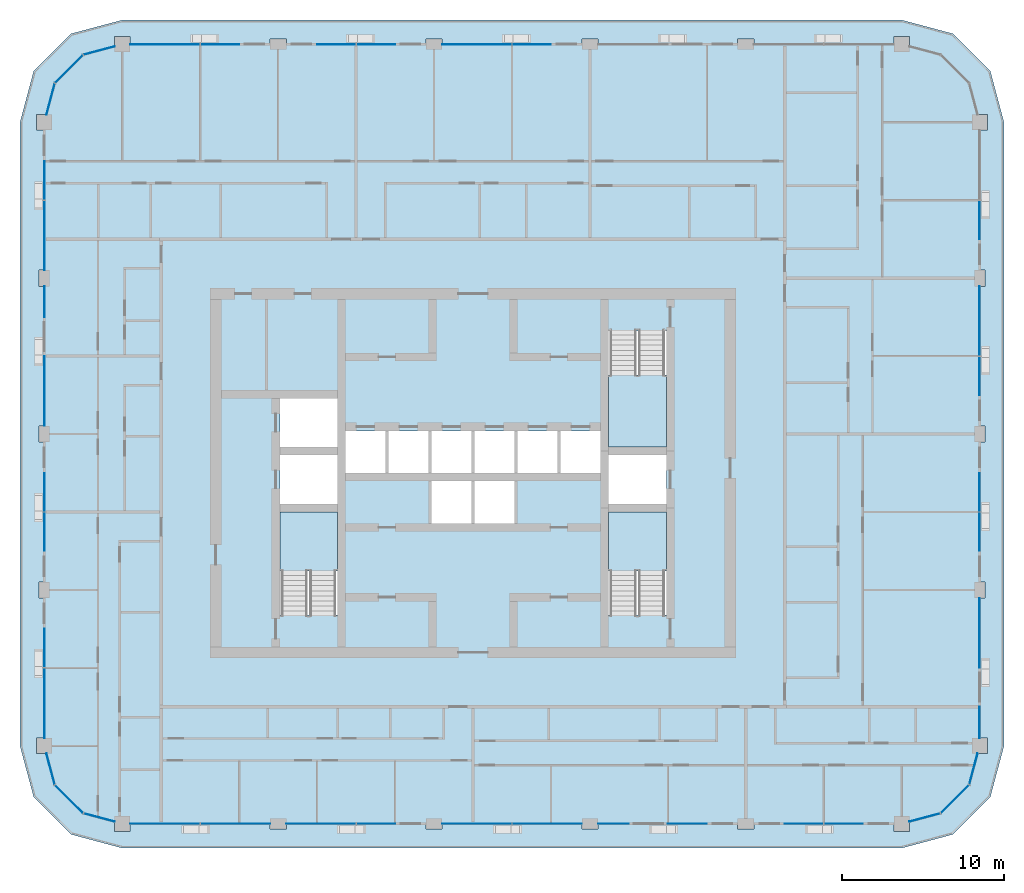
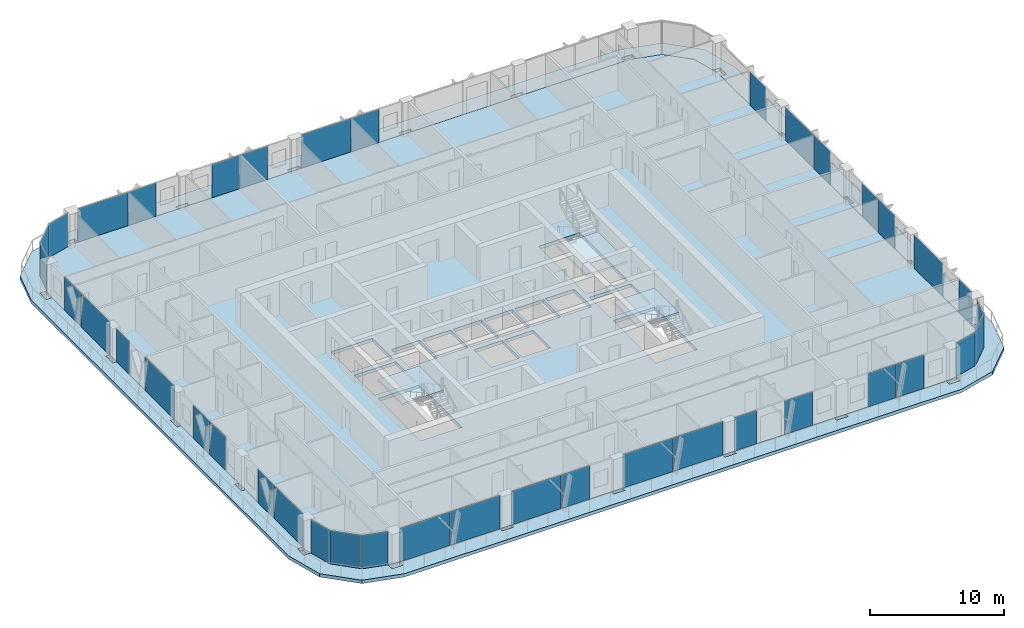
# One storey, part 7 of 22: 40 plates, 5 slabs, 22 elements without a shape of their own.
"""IFC4 building model written with IfcOpenShell, lengths in metres."""

import ifcopenshell
import ifcopenshell.guid

model = None  # the IFC model being written
_history = None  # IfcOwnerHistory: only IFC2X3 demands one
_inside = {}  # id of a spatial element -> (the spatial element, [elements in it])
_under = {}  # id of a project, library or spatial element -> (it, [spatial elements below it])
_declared = {}  # id of a project -> (the project, [libraries it declares])
_typed = {}  # id of a type object -> (the type object, [elements of that type])
_made_of = {}  # id of a material, layer set ... -> (it, [elements and type objects made of it])


def new_model(schema):
    """Start an empty IFC model of exactly this schema.

    Asked for "IFC4X3", IfcOpenShell would pick the latest addendum, in which some entities
    have other attributes; the version numbers below select the first issue.
    IFC2X3 requires an IfcOwnerHistory on every rooted entity: one is made here for all.
    """
    global model, _history
    if schema == "IFC4X3":
        model = ifcopenshell.file(schema_version=(4, 3, 0, 0))
    else:
        model = ifcopenshell.file(schema=schema)
    _inside.clear()
    _under.clear()
    _declared.clear()
    _typed.clear()
    _made_of.clear()
    _history = None
    if model.schema == "IFC2X3":
        org = make("IfcOrganization", Name="unknown")
        user = make(
            "IfcPersonAndOrganization",
            ThePerson=make("IfcPerson", FamilyName="unknown"),
            TheOrganization=org,
        )
        app = make(
            "IfcApplication",
            ApplicationDeveloper=org,
            Version="unknown",
            ApplicationFullName="unknown",
            ApplicationIdentifier="unknown",
        )
        _history = make(
            "IfcOwnerHistory",
            OwningUser=user,
            OwningApplication=app,
            ChangeAction="ADDED",
            CreationDate=0,
        )
    return model


def make(cls, **values):
    """One entity of the class cls with the attributes given. An attribute that is None is left unset."""
    return model.create_entity(
        cls, **{name: value for name, value in values.items() if value is not None}
    )


def rooted(cls, **values):
    """An entity with a GlobalId (a new one), such as an element, a storey or a relation."""
    return make(cls, GlobalId=ifcopenshell.guid.new(), OwnerHistory=_history, **values)


def si_unit(unit_type, name, prefix=None):
    """IfcSIUnit, for example si_unit("LENGTHUNIT", "METRE", prefix="MILLI")."""
    return make("IfcSIUnit", UnitType=unit_type, Prefix=prefix, Name=name)


def assignment(units):
    """IfcUnitAssignment: the units of a project."""
    return None if units is None else make("IfcUnitAssignment", Units=units)


def point(xyz):
    """IfcCartesianPoint."""
    return None if xyz is None else make("IfcCartesianPoint", Coordinates=xyz)


def direction(xyz):
    """IfcDirection."""
    return None if xyz is None else make("IfcDirection", DirectionRatios=xyz)


def frame(location, z_axis=None, x_axis=None):
    """IfcAxis2Placement3D, a coordinate frame: its origin and axes. An axis left out is left unset."""
    return make(
        "IfcAxis2Placement3D",
        Location=point(location),
        Axis=direction(z_axis),
        RefDirection=direction(x_axis),
    )


def frame_2d(location, x_axis=None):
    """IfcAxis2Placement2D, a coordinate frame in the plane: its origin and x axis."""
    return make(
        "IfcAxis2Placement2D", Location=point(location), RefDirection=direction(x_axis)
    )


def origin():
    """The frame at (0, 0, 0) with its axes left unset."""
    return frame((0.0, 0.0, 0.0))


def origin_2d():
    """The frame at (0, 0) in the plane with its x axis left unset."""
    return frame_2d((0.0, 0.0))


def place(relative_to, where):
    """IfcLocalPlacement: puts the frame where relative to a parent placement (None: the world)."""
    return make(
        "IfcLocalPlacement", PlacementRelTo=relative_to, RelativePlacement=where
    )


def context(
    kind, dimensions, precision=None, world=None, true_north=None, identifier=None
):
    """IfcGeometricRepresentationContext, for example the 3D "Model" context."""
    return make(
        "IfcGeometricRepresentationContext",
        ContextIdentifier=identifier,
        ContextType=kind,
        CoordinateSpaceDimension=dimensions,
        Precision=precision,
        WorldCoordinateSystem=world,
        TrueNorth=true_north,
    )


def subcontext(parent, identifier, kind, view, scale=None):
    """IfcGeometricRepresentationSubContext, for example "Body" below "Model"."""
    return make(
        "IfcGeometricRepresentationSubContext",
        ContextIdentifier=identifier,
        ContextType=kind,
        ParentContext=parent,
        TargetScale=scale,
        TargetView=view,
    )


def project(units=None, contexts=None):
    """IfcProject with its units and contexts."""
    return rooted(
        "IfcProject",
        Name="project",
        RepresentationContexts=contexts,
        UnitsInContext=assignment(units),
    )


def spatial(cls, under=None, at=None, **own):
    """A site, building, storey or space (cls), placed at a placement, below another one or the project."""
    s = rooted(cls, ObjectPlacement=at, **own)
    if under is not None:
        _under.setdefault(under.id(), (under, []))[1].append(s)
    return s


def polyline(points):
    """IfcPolyline through the points."""
    return make("IfcPolyline", Points=[point(p) for p in points])


def profile(cls, at=None, kind="AREA", **sizes):
    """A parametric profile (cls). Its sizes go by their IFC names, for example OverallWidth=200.0."""
    return make(cls, ProfileType=kind, Position=at, **sizes)


def rectangle(**sizes):
    """IfcRectangleProfileDef."""
    return profile("IfcRectangleProfileDef", **sizes)


def outline(outer, holes=None, kind="AREA"):
    """IfcArbitraryClosedProfileDef: a profile drawn as a closed curve; with holes, ...WithVoids."""
    if holes is None:
        return make("IfcArbitraryClosedProfileDef", ProfileType=kind, OuterCurve=outer)
    return make(
        "IfcArbitraryProfileDefWithVoids",
        ProfileType=kind,
        OuterCurve=outer,
        InnerCurves=holes,
    )


def extrude(swept, where, along, depth):
    """IfcExtrudedAreaSolid: the profile swept, set in the frame where, extruded along a direction by depth."""
    return make(
        "IfcExtrudedAreaSolid",
        SweptArea=swept,
        Position=where,
        ExtrudedDirection=direction(along),
        Depth=depth,
    )


def shape(context_of_items, identifier, shape_type, items):
    """IfcShapeRepresentation: the items that make up one representation, for example the "Body"."""
    return make(
        "IfcShapeRepresentation",
        ContextOfItems=context_of_items,
        RepresentationIdentifier=identifier,
        RepresentationType=shape_type,
        Items=items,
    )


def material(Name=None, Category=None):
    """IfcMaterial."""
    return make("IfcMaterial", Name=Name, Category=Category)


def layer(
    of_material, thickness, ventilated=None, Name=None, Category=None, Priority=None
):
    """IfcMaterialLayer: one layer of a wall or slab, of a material (None: an air gap)."""
    return make(
        "IfcMaterialLayer",
        Material=of_material,
        LayerThickness=thickness,
        IsVentilated=ventilated,
        Name=Name,
        Category=Category,
        Priority=Priority,
    )


def layer_set(layers, Name=None):
    """IfcMaterialLayerSet."""
    return make("IfcMaterialLayerSet", MaterialLayers=layers, LayerSetName=Name)


def made_of(thing, what):
    """Note that an element or type object is made of a material, layer set ...; save() writes the relation."""
    if what is not None:
        _made_of.setdefault(what.id(), (what, []))[1].append(thing)
    return thing


def type_object(cls, material=None, **own):
    """A type object (cls), such as IfcWallType, which elements share."""
    return made_of(rooted(cls, **own), material)


def element(
    cls,
    number,
    at=None,
    inside=None,
    cuts=None,
    type_object=None,
    material=None,
    context=None,
    identifier="Body",
    shape_type=None,
    held_by="IfcProductDefinitionShape",
    body=None,
    shapes=None,
    **own,
):
    """One element of the class cls, such as IfcWall. Its Tag is "e" and its number.

    at: its placement. inside: the storey or other place that contains it. cuts: it is an
    opening in that element (IfcRelVoidsElement). A single representation is given by context,
    identifier, shape_type and body (its items); several are given by shapes. held_by: the class
    of the entity that holds the representations. save() writes the other relations.
    """
    e = rooted(cls, Tag="e%d" % number, ObjectPlacement=at, **own)
    if body is not None:
        shapes = [shape(context, identifier, shape_type, body)]
    if shapes is not None:
        e.Representation = make(held_by, Representations=shapes)
    if inside is not None:
        _inside.setdefault(inside.id(), (inside, []))[1].append(e)
    if cuts is not None:
        rooted(
            "IfcRelVoidsElement", RelatingBuildingElement=cuts, RelatedOpeningElement=e
        )
    if type_object is not None:
        _typed.setdefault(type_object.id(), (type_object, []))[1].append(e)
    return made_of(e, material)


def aggregate(whole, parts):
    """IfcRelAggregates: a whole, such as a stair, and the parts it consists of."""
    return rooted("IfcRelAggregates", RelatingObject=whole, RelatedObjects=parts)


def save(model, path):
    """Write the relations noted so far, then the file.

    IfcRelAggregates (storeys below a building ...), IfcRelContainedInSpatialStructure (elements
    in a storey), IfcRelDefinesByType, IfcRelAssociatesMaterial and IfcRelDeclares: one each for
    every whole, place, type object, material and project.
    """
    for whole, parts in _under.values():
        aggregate(whole, parts)
    for where, things in _inside.values():
        rooted(
            "IfcRelContainedInSpatialStructure",
            RelatedElements=things,
            RelatingStructure=where,
        )
    for kind, things in _typed.values():
        rooted("IfcRelDefinesByType", RelatedObjects=things, RelatingType=kind)
    for what, things in _made_of.values():
        rooted("IfcRelAssociatesMaterial", RelatedObjects=things, RelatingMaterial=what)
    for by, libraries in _declared.values():
        rooted("IfcRelDeclares", RelatingContext=by, RelatedDefinitions=libraries)
    model.write(path)


model = new_model("IFC4")

# Units and contexts
model_context = context("Model", 3, precision=1e-05, world=origin(), true_north=direction((0.0, 1.0)))
body_context = subcontext(model_context, "Body", "Model", "MODEL_VIEW")
ifc_project = project(units=[si_unit("LENGTHUNIT", "METRE"), si_unit("AREAUNIT", "SQUARE_METRE"), si_unit("VOLUMEUNIT", "CUBIC_METRE"), si_unit("PLANEANGLEUNIT", "RADIAN"), si_unit("MASSUNIT", "GRAM", prefix="KILO")], contexts=[model_context])

# Site, building, storey
site_placement = place(None, origin())
site = spatial("IfcSite", under=ifc_project, at=site_placement, CompositionType="ELEMENT")
building_placement = place(site_placement, origin())
building = spatial("IfcBuilding", under=site, at=building_placement, Name="Madar Terraces", CompositionType="ELEMENT")
storey_placement = place(building_placement, frame((0.0, 0.0, 229.800048828125)))
storey = spatial("IfcBuildingStorey", under=building, at=storey_placement, Name="L60", CompositionType="ELEMENT", Elevation=229.800048828125)

# Slabs
ifc_material_1 = material(Name="Concrete C50/60", Category="concrete")
ifc_layer_1 = layer(ifc_material_1, 0.300048828125)
ifc_layer_set_1 = layer_set([ifc_layer_1], Name="Balcony band 300")
slab_type_1 = type_object("IfcSlabType", Name="Balcony band 300", PredefinedType="FLOOR", material=ifc_layer_set_1)
slab_1_placement = place(storey_placement, frame((0.0, 0.0, -0.300048828125)))
element("IfcSlab", 1, at=slab_1_placement, inside=storey, type_object=slab_type_1, Name="Balcony band", PredefinedType="FLOOR", context=body_context, shape_type="SweptSolid", body=[
    extrude(outline(polyline([(9.60009765625, 3.300048828125), (6.449951171875, 4.14404296875), (4.14404296875, 6.449951171875), (3.300048828125, 9.60009765625), (3.300048828125, 48.0), (4.14404296875, 51.14990234375), (6.449951171875, 53.4560546875), (9.60009765625, 54.300048828125), (57.60009765625, 54.300048828125), (60.75, 53.4560546875), (63.055908203125, 51.14990234375), (63.89990234375, 48.0), (63.89990234375, 9.60009765625), (63.055908203125, 6.449951171875), (60.75, 4.14404296875), (57.60009765625, 3.300048828125), (9.60009765625, 3.300048828125)]), holes=[polyline([(10.074951171875, 4.324951171875), (10.074951171875, 4.800048828125), (18.699951171875, 4.800048828125), (18.699951171875, 4.47509765625), (19.699951171875, 4.47509765625), (19.699951171875, 4.800048828125), (28.300048828125, 4.800048828125), (28.300048828125, 4.47509765625), (29.300048828125, 4.47509765625), (29.300048828125, 4.800048828125), (37.89990234375, 4.800048828125), (37.89990234375, 4.47509765625), (38.89990234375, 4.47509765625), (38.89990234375, 4.800048828125), (47.5, 4.800048828125), (47.5, 4.47509765625), (48.5, 4.47509765625), (48.5, 4.800048828125), (57.125, 4.800048828125), (57.125, 4.324951171875), (58.074951171875, 4.324951171875), (58.074951171875, 4.92724609375), (60.0, 5.443115234375), (61.7568359375, 7.199951171875), (62.272705078125, 9.125), (62.875, 9.125), (62.875, 10.074951171875), (62.39990234375, 10.074951171875), (62.39990234375, 18.699951171875), (62.72509765625, 18.699951171875), (62.72509765625, 19.699951171875), (62.39990234375, 19.699951171875), (62.39990234375, 28.300048828125), (62.72509765625, 28.300048828125), (62.72509765625, 29.300048828125), (62.39990234375, 29.300048828125), (62.39990234375, 37.89990234375), (62.72509765625, 37.89990234375), (62.72509765625, 38.89990234375), (62.39990234375, 38.89990234375), (62.39990234375, 47.52490234375), (62.875, 47.52490234375), (62.875, 48.47509765625), (62.272705078125, 48.47509765625), (61.7568359375, 50.39990234375), (60.0, 52.156982421875), (58.074951171875, 52.672607421875), (58.074951171875, 53.27490234375), (57.125, 53.27490234375), (57.125, 52.800048828125), (48.5, 52.800048828125), (48.5, 53.125), (47.5, 53.125), (47.5, 52.800048828125), (38.89990234375, 52.800048828125), (38.89990234375, 53.125), (37.89990234375, 53.125), (37.89990234375, 52.800048828125), (29.300048828125, 52.800048828125), (29.300048828125, 53.125), (28.300048828125, 53.125), (28.300048828125, 52.800048828125), (19.699951171875, 52.800048828125), (19.699951171875, 53.125), (18.699951171875, 53.125), (18.699951171875, 52.800048828125), (10.074951171875, 52.800048828125), (10.074951171875, 53.27490234375), (9.125, 53.27490234375), (9.125, 52.672607421875), (7.199951171875, 52.156982421875), (5.443115234375, 50.39990234375), (4.92724609375, 48.47509765625), (4.324951171875, 48.47509765625), (4.324951171875, 47.52490234375), (4.800048828125, 47.52490234375), (4.800048828125, 38.89990234375), (4.47509765625, 38.89990234375), (4.47509765625, 37.89990234375), (4.800048828125, 37.89990234375), (4.800048828125, 29.300048828125), (4.47509765625, 29.300048828125), (4.47509765625, 28.300048828125), (4.800048828125, 28.300048828125), (4.800048828125, 19.699951171875), (4.47509765625, 19.699951171875), (4.47509765625, 18.699951171875), (4.800048828125, 18.699951171875), (4.800048828125, 10.074951171875), (4.324951171875, 10.074951171875), (4.324951171875, 9.125), (4.92724609375, 9.125), (5.443115234375, 7.199951171875), (7.199951171875, 5.443115234375), (9.125, 4.92724609375), (9.125, 4.324951171875), (10.074951171875, 4.324951171875)])]), origin(), (0.0, 0.0, 1.0), 0.300048828125),
])
ifc_material_2 = material(Name="Concrete C50/60", Category="concrete")
ifc_layer_2 = layer(ifc_material_2, 0.300048828125)
ifc_layer_set_2 = layer_set([ifc_layer_2], Name="FS2 PT flat slab 300")
slab_type_2 = type_object("IfcSlabType", Name="FS2 PT flat slab 300", PredefinedType="FLOOR", material=ifc_layer_set_2)
slab_2_placement = place(storey_placement, frame((0.0, 0.0, -0.300048828125)))
element("IfcSlab", 2, at=slab_2_placement, inside=storey, type_object=slab_type_2, Name="Floor slab L60 (1)", PredefinedType="FLOOR", context=body_context, shape_type="SweptSolid", body=[
    extrude(outline(polyline([(57.60009765625, 4.800048828125), (60.0, 5.443115234375), (61.7568359375, 7.199951171875), (62.39990234375, 9.60009765625), (62.39990234375, 48.0), (61.7568359375, 50.39990234375), (60.0, 52.156982421875), (57.60009765625, 52.800048828125), (9.60009765625, 52.800048828125), (7.199951171875, 52.156982421875), (5.443115234375, 50.39990234375), (4.800048828125, 48.0), (4.800048828125, 9.60009765625), (5.443115234375, 7.199951171875), (7.199951171875, 5.443115234375), (9.60009765625, 4.800048828125), (57.60009765625, 4.800048828125)]), holes=[polyline([(22.85009765625, 17.64990234375), (19.300048828125, 17.64990234375), (19.300048828125, 24.0), (22.85009765625, 24.0), (22.85009765625, 17.64990234375)]), polyline([(28.64990234375, 23.300048828125), (28.64990234375, 25.89990234375), (31.10009765625, 25.89990234375), (31.10009765625, 23.300048828125), (28.64990234375, 23.300048828125)]), polyline([(19.300048828125, 24.5), (19.300048828125, 27.5), (22.85009765625, 27.5), (22.85009765625, 24.5), (19.300048828125, 24.5)]), polyline([(23.35009765625, 26.39990234375), (23.35009765625, 29.0), (25.800048828125, 29.0), (25.800048828125, 26.39990234375), (23.35009765625, 26.39990234375)]), polyline([(26.0, 26.39990234375), (26.0, 29.0), (28.449951171875, 29.0), (28.449951171875, 26.39990234375), (26.0, 26.39990234375)]), polyline([(28.64990234375, 26.39990234375), (28.64990234375, 29.0), (31.10009765625, 29.0), (31.10009765625, 26.39990234375), (28.64990234375, 26.39990234375)]), polyline([(19.300048828125, 28.0), (19.300048828125, 31.0), (22.85009765625, 31.0), (22.85009765625, 28.0), (19.300048828125, 28.0)]), polyline([(43.10009765625, 17.64990234375), (39.550048828125, 17.64990234375), (39.550048828125, 24.0), (43.10009765625, 24.0), (43.10009765625, 17.64990234375)]), polyline([(31.300048828125, 23.300048828125), (31.300048828125, 25.89990234375), (33.75, 25.89990234375), (33.75, 23.300048828125), (31.300048828125, 23.300048828125)]), polyline([(39.550048828125, 24.5), (39.550048828125, 27.5), (43.10009765625, 27.5), (43.10009765625, 24.5), (39.550048828125, 24.5)]), polyline([(31.300048828125, 26.39990234375), (31.300048828125, 29.0), (33.75, 29.0), (33.75, 26.39990234375), (31.300048828125, 26.39990234375)]), polyline([(33.949951171875, 26.39990234375), (33.949951171875, 29.0), (36.39990234375, 29.0), (36.39990234375, 26.39990234375), (33.949951171875, 26.39990234375)]), polyline([(36.60009765625, 26.39990234375), (36.60009765625, 29.0), (39.050048828125, 29.0), (39.050048828125, 26.39990234375), (36.60009765625, 26.39990234375)]), polyline([(39.550048828125, 28.0), (39.550048828125, 35.14990234375), (43.10009765625, 35.14990234375), (43.10009765625, 28.0), (39.550048828125, 28.0)])]), origin(), (0.0, 0.0, 1.0), 0.300048828125),
])

# Curtain wall, plates
ifc_material_3 = material(Name="Glass, ceramic frit dark grey, with black aluminium frame", Category="aluminium")
ifc_layer_3 = layer(ifc_material_3, 0.199951171875)
ifc_layer_set_3 = layer_set([ifc_layer_3], Name="Facade curtain wall, fritted glass")
curtain_wall_type = type_object("IfcCurtainWallType", Name="Facade curtain wall, fritted glass", PredefinedType="NOTDEFINED", material=ifc_layer_set_3)
curtain_wall_1_placement = place(storey_placement, origin())
curtain_wall_1 = element("IfcCurtainWall", 3, at=curtain_wall_1_placement, inside=storey, type_object=curtain_wall_type, Name="Outer skin curtain wall south bay 1", PredefinedType="NOTDEFINED")
ifc_material_4 = material(Name="Glass, ceramic frit dark grey", Category="glass")
ifc_layer_4 = layer(ifc_material_4, 0.028076171875)
ifc_layer_set_4 = layer_set([ifc_layer_4], Name="Facade glass panel 28")
plate_type = type_object("IfcPlateType", Name="Facade glass panel 28", PredefinedType="CURTAIN_PANEL", material=ifc_layer_set_4)
plate_1_placement = place(storey_placement, frame((12.222412109375, 4.800048828125, 0.0), z_axis=(0.0, 0.0, 1.0), x_axis=(1.0, 0.0, 0.0)))
plate_1 = element("IfcPlate", 4, at=plate_1_placement, type_object=plate_type, Name="Panel 1", PredefinedType="CURTAIN_PANEL", context=body_context, shape_type="SweptSolid", body=[
    extrude(rectangle(XDim=4.294921875, YDim=0.028076171875, at=origin_2d()), origin(), (0.0, 0.0, 1.0), 3.0400390625),
])
plate_2_placement = place(storey_placement, frame((16.56494140625, 4.800048828125, 0.0), z_axis=(0.0, 0.0, 1.0), x_axis=(1.0, 0.0, 0.0)))
plate_2 = element("IfcPlate", 5, at=plate_2_placement, type_object=plate_type, Name="Panel 2", PredefinedType="CURTAIN_PANEL", context=body_context, shape_type="SweptSolid", body=[
    extrude(rectangle(XDim=4.27001953125, YDim=0.028076171875, at=origin_2d()), origin(), (0.0, 0.0, 1.0), 3.0400390625),
])
aggregate(curtain_wall_1, [plate_1, plate_2])

curtain_wall_2_placement = place(storey_placement, origin())
curtain_wall_2 = element("IfcCurtainWall", 6, at=curtain_wall_2_placement, inside=storey, type_object=curtain_wall_type, Name="Outer skin curtain wall south bay 2", PredefinedType="NOTDEFINED")
plate_3_placement = place(storey_placement, frame((21.8349609375, 4.800048828125, 0.0), z_axis=(0.0, 0.0, 1.0), x_axis=(1.0, 0.0, 0.0)))
plate_3 = element("IfcPlate", 7, at=plate_3_placement, type_object=plate_type, Name="Panel 1", PredefinedType="CURTAIN_PANEL", context=body_context, shape_type="SweptSolid", body=[
    extrude(rectangle(XDim=4.27001953125, YDim=0.028076171875, at=origin_2d()), origin(), (0.0, 0.0, 1.0), 3.0400390625),
])
plate_4_placement = place(storey_placement, frame((25.215087890625, 4.800048828125, 0.0), z_axis=(0.0, 0.0, 1.0), x_axis=(1.0, 0.0, 0.0)))
plate_4 = element("IfcPlate", 8, at=plate_4_placement, type_object=plate_type, Name="Panel 2", PredefinedType="CURTAIN_PANEL", context=body_context, shape_type="SweptSolid", body=[
    extrude(rectangle(XDim=2.3701171875, YDim=0.028076171875, at=origin_2d()), origin(), (0.0, 0.0, 1.0), 3.0400390625),
])
aggregate(curtain_wall_2, [plate_3, plate_4])

curtain_wall_3_placement = place(storey_placement, origin())
curtain_wall_3 = element("IfcCurtainWall", 9, at=curtain_wall_3_placement, inside=storey, type_object=curtain_wall_type, Name="Outer skin curtain wall south bay 3", PredefinedType="NOTDEFINED")
plate_5_placement = place(storey_placement, frame((31.43505859375, 4.800048828125, 0.0), z_axis=(0.0, 0.0, 1.0), x_axis=(1.0, 0.0, 0.0)))
plate_5 = element("IfcPlate", 10, at=plate_5_placement, type_object=plate_type, Name="Panel 1", PredefinedType="CURTAIN_PANEL", context=body_context, shape_type="SweptSolid", body=[
    extrude(rectangle(XDim=4.27001953125, YDim=0.028076171875, at=origin_2d()), origin(), (0.0, 0.0, 1.0), 3.0400390625),
])
plate_6_placement = place(storey_placement, frame((35.764892578125, 4.800048828125, 0.0), z_axis=(0.0, 0.0, 1.0), x_axis=(1.0, 0.0, 0.0)))
plate_6 = element("IfcPlate", 11, at=plate_6_placement, type_object=plate_type, Name="Panel 2", PredefinedType="CURTAIN_PANEL", context=body_context, shape_type="SweptSolid", body=[
    extrude(rectangle(XDim=4.27001953125, YDim=0.028076171875, at=origin_2d()), origin(), (0.0, 0.0, 1.0), 3.0400390625),
])
aggregate(curtain_wall_3, [plate_5, plate_6])

curtain_wall_4_placement = place(storey_placement, origin())
curtain_wall_4 = element("IfcCurtainWall", 12, at=curtain_wall_4_placement, inside=storey, type_object=curtain_wall_type, Name="Outer skin curtain wall south bay 4", PredefinedType="NOTDEFINED")
plate_7_placement = place(storey_placement, frame((39.85009765625, 4.800048828125, 0.0), z_axis=(0.0, 0.0, 1.0), x_axis=(1.0, 0.0, 0.0)))
plate_7 = element("IfcPlate", 13, at=plate_7_placement, type_object=plate_type, Name="Panel 1", PredefinedType="CURTAIN_PANEL", context=body_context, shape_type="SweptSolid", body=[
    extrude(rectangle(XDim=1.89990234375, YDim=0.028076171875, at=origin_2d()), origin(), (0.0, 0.0, 1.0), 3.0400390625),
])
plate_8_placement = place(storey_placement, frame((44.39990234375, 4.800048828125, 0.0), z_axis=(0.0, 0.0, 1.0), x_axis=(1.0, 0.0, 0.0)))
plate_8 = element("IfcPlate", 14, at=plate_8_placement, type_object=plate_type, Name="Panel 2", PredefinedType="CURTAIN_PANEL", context=body_context, shape_type="SweptSolid", body=[
    extrude(rectangle(XDim=2.39990234375, YDim=0.028076171875, at=origin_2d()), origin(), (0.0, 0.0, 1.0), 3.0400390625),
])
aggregate(curtain_wall_4, [plate_7, plate_8])

curtain_wall_5_placement = place(storey_placement, origin())
curtain_wall_5 = element("IfcCurtainWall", 15, at=curtain_wall_5_placement, inside=storey, type_object=curtain_wall_type, Name="Outer skin curtain wall south bay 5", PredefinedType="NOTDEFINED")
plate_9_placement = place(storey_placement, frame((51.5849609375, 4.800048828125, 0.0), z_axis=(0.0, 0.0, 1.0), x_axis=(1.0, 0.0, 0.0)))
plate_9 = element("IfcPlate", 16, at=plate_9_placement, type_object=plate_type, Name="Panel 1", PredefinedType="CURTAIN_PANEL", context=body_context, shape_type="SweptSolid", body=[
    extrude(rectangle(XDim=2.3701171875, YDim=0.028076171875, at=origin_2d()), origin(), (0.0, 0.0, 1.0), 3.0400390625),
])
plate_10_placement = place(storey_placement, frame((54.014892578125, 4.800048828125, 0.0), z_axis=(0.0, 0.0, 1.0), x_axis=(1.0, 0.0, 0.0)))
plate_10 = element("IfcPlate", 17, at=plate_10_placement, type_object=plate_type, Name="Panel 2", PredefinedType="CURTAIN_PANEL", context=body_context, shape_type="SweptSolid", body=[
    extrude(rectangle(XDim=2.3701171875, YDim=0.028076171875, at=origin_2d()), origin(), (0.0, 0.0, 1.0), 3.0400390625),
])
aggregate(curtain_wall_5, [plate_9, plate_10])

curtain_wall_6_placement = place(storey_placement, origin())
curtain_wall_6 = element("IfcCurtainWall", 18, at=curtain_wall_6_placement, inside=storey, type_object=curtain_wall_type, Name="Outer skin curtain wall east bay 1", PredefinedType="NOTDEFINED")
plate_11_placement = place(storey_placement, frame((62.39990234375, 11.03759765625, 0.0), z_axis=(0.0, 0.0, 1.0), x_axis=(0.0, 1.0, 0.0)))
plate_11 = element("IfcPlate", 19, at=plate_11_placement, type_object=plate_type, Name="Panel 1", PredefinedType="CURTAIN_PANEL", context=body_context, shape_type="SweptSolid", body=[
    extrude(rectangle(XDim=1.925048828125, YDim=0.028076171875, at=origin_2d()), origin(), (0.0, 0.0, 1.0), 3.0400390625),
])
plate_12_placement = place(storey_placement, frame((62.39990234375, 16.550048828125, 0.0), z_axis=(0.0, 0.0, 1.0), x_axis=(0.0, 1.0, 0.0)))
plate_12 = element("IfcPlate", 20, at=plate_12_placement, type_object=plate_type, Name="Panel 2", PredefinedType="CURTAIN_PANEL", context=body_context, shape_type="SweptSolid", body=[
    extrude(rectangle(XDim=4.300048828125, YDim=0.028076171875, at=origin_2d()), origin(), (0.0, 0.0, 1.0), 3.0400390625),
])
aggregate(curtain_wall_6, [plate_11, plate_12])

curtain_wall_7_placement = place(storey_placement, origin())
curtain_wall_7 = element("IfcCurtainWall", 21, at=curtain_wall_7_placement, inside=storey, type_object=curtain_wall_type, Name="Outer skin curtain wall east bay 2", PredefinedType="NOTDEFINED")
plate_13_placement = place(storey_placement, frame((62.39990234375, 22.784912109375, 0.0), z_axis=(0.0, 0.0, 1.0), x_axis=(0.0, 1.0, 0.0)))
plate_13 = element("IfcPlate", 22, at=plate_13_placement, type_object=plate_type, Name="Panel 1", PredefinedType="CURTAIN_PANEL", context=body_context, shape_type="SweptSolid", body=[
    extrude(rectangle(XDim=2.3701171875, YDim=0.028076171875, at=origin_2d()), origin(), (0.0, 0.0, 1.0), 3.0400390625),
])
plate_14_placement = place(storey_placement, frame((62.39990234375, 25.215087890625, 0.0), z_axis=(0.0, 0.0, 1.0), x_axis=(0.0, 1.0, 0.0)))
plate_14 = element("IfcPlate", 23, at=plate_14_placement, type_object=plate_type, Name="Panel 2", PredefinedType="CURTAIN_PANEL", context=body_context, shape_type="SweptSolid", body=[
    extrude(rectangle(XDim=2.3701171875, YDim=0.028076171875, at=origin_2d()), origin(), (0.0, 0.0, 1.0), 3.0400390625),
])
aggregate(curtain_wall_7, [plate_13, plate_14])

curtain_wall_8_placement = place(storey_placement, origin())
curtain_wall_8 = element("IfcCurtainWall", 24, at=curtain_wall_8_placement, inside=storey, type_object=curtain_wall_type, Name="Outer skin curtain wall east bay 3", PredefinedType="NOTDEFINED")
plate_15_placement = place(storey_placement, frame((62.39990234375, 32.385009765625, 0.0), z_axis=(0.0, 0.0, 1.0), x_axis=(0.0, 1.0, 0.0)))
plate_15 = element("IfcPlate", 25, at=plate_15_placement, type_object=plate_type, Name="Panel 1", PredefinedType="CURTAIN_PANEL", context=body_context, shape_type="SweptSolid", body=[
    extrude(rectangle(XDim=2.3701171875, YDim=0.028076171875, at=origin_2d()), origin(), (0.0, 0.0, 1.0), 3.0400390625),
])
plate_16_placement = place(storey_placement, frame((62.39990234375, 35.764892578125, 0.0), z_axis=(0.0, 0.0, 1.0), x_axis=(0.0, 1.0, 0.0)))
plate_16 = element("IfcPlate", 26, at=plate_16_placement, type_object=plate_type, Name="Panel 2", PredefinedType="CURTAIN_PANEL", context=body_context, shape_type="SweptSolid", body=[
    extrude(rectangle(XDim=4.27001953125, YDim=0.028076171875, at=origin_2d()), origin(), (0.0, 0.0, 1.0), 3.0400390625),
])
aggregate(curtain_wall_8, [plate_15, plate_16])

# Curtain wall, plate
curtain_wall_9_placement = place(storey_placement, origin())
curtain_wall_9 = element("IfcCurtainWall", 27, at=curtain_wall_9_placement, inside=storey, type_object=curtain_wall_type, Name="Outer skin curtain wall east bay 4", PredefinedType="NOTDEFINED")
plate_17_placement = place(storey_placement, frame((62.39990234375, 41.985107421875, 0.0), z_axis=(0.0, 0.0, 1.0), x_axis=(0.0, 1.0, 0.0)))
plate_17 = element("IfcPlate", 28, at=plate_17_placement, type_object=plate_type, Name="Panel 1", PredefinedType="CURTAIN_PANEL", context=body_context, shape_type="SweptSolid", body=[
    extrude(rectangle(XDim=2.3701171875, YDim=0.028076171875, at=origin_2d()), origin(), (0.0, 0.0, 1.0), 3.0400390625),
])
aggregate(curtain_wall_9, [plate_17])

# Curtain wall, plates
curtain_wall_10_placement = place(storey_placement, origin())
curtain_wall_10 = element("IfcCurtainWall", 29, at=curtain_wall_10_placement, inside=storey, type_object=curtain_wall_type, Name="Outer skin curtain wall north bay 3", PredefinedType="NOTDEFINED")
plate_18_placement = place(storey_placement, frame((34.81494140625, 52.800048828125, 0.0), z_axis=(0.0, 0.0, 1.0), x_axis=(-1.0, 0.0, 0.0)))
plate_18 = element("IfcPlate", 30, at=plate_18_placement, type_object=plate_type, Name="Panel 1", PredefinedType="CURTAIN_PANEL", context=body_context, shape_type="SweptSolid", body=[
    extrude(rectangle(XDim=2.3701171875, YDim=0.028076171875, at=origin_2d()), origin(), (0.0, 0.0, 1.0), 3.0400390625),
])
plate_19_placement = place(storey_placement, frame((31.43505859375, 52.800048828125, 0.0), z_axis=(0.0, 0.0, 1.0), x_axis=(-1.0, 0.0, 0.0)))
plate_19 = element("IfcPlate", 31, at=plate_19_placement, type_object=plate_type, Name="Panel 2", PredefinedType="CURTAIN_PANEL", context=body_context, shape_type="SweptSolid", body=[
    extrude(rectangle(XDim=4.27001953125, YDim=0.028076171875, at=origin_2d()), origin(), (0.0, 0.0, 1.0), 3.0400390625),
])
aggregate(curtain_wall_10, [plate_18, plate_19])

curtain_wall_11_placement = place(storey_placement, origin())
curtain_wall_11 = element("IfcCurtainWall", 32, at=curtain_wall_11_placement, inside=storey, type_object=curtain_wall_type, Name="Outer skin curtain wall north bay 4", PredefinedType="NOTDEFINED")
plate_20_placement = place(storey_placement, frame((25.215087890625, 52.800048828125, 0.0), z_axis=(0.0, 0.0, 1.0), x_axis=(-1.0, 0.0, 0.0)))
plate_20 = element("IfcPlate", 33, at=plate_20_placement, type_object=plate_type, Name="Panel 1", PredefinedType="CURTAIN_PANEL", context=body_context, shape_type="SweptSolid", body=[
    extrude(rectangle(XDim=2.3701171875, YDim=0.028076171875, at=origin_2d()), origin(), (0.0, 0.0, 1.0), 3.0400390625),
])
plate_21_placement = place(storey_placement, frame((22.784912109375, 52.800048828125, 0.0), z_axis=(0.0, 0.0, 1.0), x_axis=(-1.0, 0.0, 0.0)))
plate_21 = element("IfcPlate", 34, at=plate_21_placement, type_object=plate_type, Name="Panel 2", PredefinedType="CURTAIN_PANEL", context=body_context, shape_type="SweptSolid", body=[
    extrude(rectangle(XDim=2.3701171875, YDim=0.028076171875, at=origin_2d()), origin(), (0.0, 0.0, 1.0), 3.0400390625),
])
aggregate(curtain_wall_11, [plate_20, plate_21])

curtain_wall_12_placement = place(storey_placement, origin())
curtain_wall_12 = element("IfcCurtainWall", 35, at=curtain_wall_12_placement, inside=storey, type_object=curtain_wall_type, Name="Outer skin curtain wall north bay 5", PredefinedType="NOTDEFINED")
plate_22_placement = place(storey_placement, frame((15.614990234375, 52.800048828125, 0.0), z_axis=(0.0, 0.0, 1.0), x_axis=(-1.0, 0.0, 0.0)))
plate_22 = element("IfcPlate", 36, at=plate_22_placement, type_object=plate_type, Name="Panel 1", PredefinedType="CURTAIN_PANEL", context=body_context, shape_type="SweptSolid", body=[
    extrude(rectangle(XDim=2.3701171875, YDim=0.028076171875, at=origin_2d()), origin(), (0.0, 0.0, 1.0), 3.0400390625),
])
plate_23_placement = place(storey_placement, frame((12.222412109375, 52.800048828125, 0.0), z_axis=(0.0, 0.0, 1.0), x_axis=(-1.0, 0.0, 0.0)))
plate_23 = element("IfcPlate", 37, at=plate_23_placement, type_object=plate_type, Name="Panel 2", PredefinedType="CURTAIN_PANEL", context=body_context, shape_type="SweptSolid", body=[
    extrude(rectangle(XDim=4.294921875, YDim=0.028076171875, at=origin_2d()), origin(), (0.0, 0.0, 1.0), 3.0400390625),
])
aggregate(curtain_wall_12, [plate_22, plate_23])

curtain_wall_13_placement = place(storey_placement, origin())
curtain_wall_13 = element("IfcCurtainWall", 38, at=curtain_wall_13_placement, inside=storey, type_object=curtain_wall_type, Name="Outer skin curtain wall west bay 1", PredefinedType="NOTDEFINED")
plate_24_placement = place(storey_placement, frame((4.800048828125, 44.4150390625, 0.0), z_axis=(0.0, 0.0, 1.0), x_axis=(0.0, -1.0, 0.0)))
plate_24 = element("IfcPlate", 39, at=plate_24_placement, type_object=plate_type, Name="Panel 1", PredefinedType="CURTAIN_PANEL", context=body_context, shape_type="SweptSolid", body=[
    extrude(rectangle(XDim=2.3701171875, YDim=0.028076171875, at=origin_2d()), origin(), (0.0, 0.0, 1.0), 3.0400390625),
])
plate_25_placement = place(storey_placement, frame((4.800048828125, 41.034912109375, 0.0), z_axis=(0.0, 0.0, 1.0), x_axis=(0.0, -1.0, 0.0)))
plate_25 = element("IfcPlate", 40, at=plate_25_placement, type_object=plate_type, Name="Panel 2", PredefinedType="CURTAIN_PANEL", context=body_context, shape_type="SweptSolid", body=[
    extrude(rectangle(XDim=4.27001953125, YDim=0.028076171875, at=origin_2d()), origin(), (0.0, 0.0, 1.0), 3.0400390625),
])
aggregate(curtain_wall_13, [plate_24, plate_25])

curtain_wall_14_placement = place(storey_placement, origin())
curtain_wall_14 = element("IfcCurtainWall", 41, at=curtain_wall_14_placement, inside=storey, type_object=curtain_wall_type, Name="Outer skin curtain wall west bay 2", PredefinedType="NOTDEFINED")
plate_26_placement = place(storey_placement, frame((4.800048828125, 36.949951171875, 0.0), z_axis=(0.0, 0.0, 1.0), x_axis=(0.0, -1.0, 0.0)))
plate_26 = element("IfcPlate", 42, at=plate_26_placement, type_object=plate_type, Name="Panel 1", PredefinedType="CURTAIN_PANEL", context=body_context, shape_type="SweptSolid", body=[
    extrude(rectangle(XDim=1.89990234375, YDim=0.028076171875, at=origin_2d()), origin(), (0.0, 0.0, 1.0), 3.0400390625),
])
plate_27_placement = place(storey_placement, frame((4.800048828125, 31.449951171875, 0.0), z_axis=(0.0, 0.0, 1.0), x_axis=(0.0, -1.0, 0.0)))
plate_27 = element("IfcPlate", 43, at=plate_27_placement, type_object=plate_type, Name="Panel 2", PredefinedType="CURTAIN_PANEL", context=body_context, shape_type="SweptSolid", body=[
    extrude(rectangle(XDim=4.300048828125, YDim=0.028076171875, at=origin_2d()), origin(), (0.0, 0.0, 1.0), 3.0400390625),
])
aggregate(curtain_wall_14, [plate_26, plate_27])

curtain_wall_15_placement = place(storey_placement, origin())
curtain_wall_15 = element("IfcCurtainWall", 44, at=curtain_wall_15_placement, inside=storey, type_object=curtain_wall_type, Name="Outer skin curtain wall west bay 3", PredefinedType="NOTDEFINED")
plate_28_placement = place(storey_placement, frame((4.800048828125, 25.215087890625, 0.0), z_axis=(0.0, 0.0, 1.0), x_axis=(0.0, -1.0, 0.0)))
plate_28 = element("IfcPlate", 45, at=plate_28_placement, type_object=plate_type, Name="Panel 1", PredefinedType="CURTAIN_PANEL", context=body_context, shape_type="SweptSolid", body=[
    extrude(rectangle(XDim=2.3701171875, YDim=0.028076171875, at=origin_2d()), origin(), (0.0, 0.0, 1.0), 3.0400390625),
])
plate_29_placement = place(storey_placement, frame((4.800048828125, 22.784912109375, 0.0), z_axis=(0.0, 0.0, 1.0), x_axis=(0.0, -1.0, 0.0)))
plate_29 = element("IfcPlate", 46, at=plate_29_placement, type_object=plate_type, Name="Panel 2", PredefinedType="CURTAIN_PANEL", context=body_context, shape_type="SweptSolid", body=[
    extrude(rectangle(XDim=2.3701171875, YDim=0.028076171875, at=origin_2d()), origin(), (0.0, 0.0, 1.0), 3.0400390625),
])
aggregate(curtain_wall_15, [plate_28, plate_29])

curtain_wall_16_placement = place(storey_placement, origin())
curtain_wall_16 = element("IfcCurtainWall", 47, at=curtain_wall_16_placement, inside=storey, type_object=curtain_wall_type, Name="Outer skin curtain wall west bay 4", PredefinedType="NOTDEFINED")
plate_30_placement = place(storey_placement, frame((4.800048828125, 15.614990234375, 0.0), z_axis=(0.0, 0.0, 1.0), x_axis=(0.0, -1.0, 0.0)))
plate_30 = element("IfcPlate", 48, at=plate_30_placement, type_object=plate_type, Name="Panel 1", PredefinedType="CURTAIN_PANEL", context=body_context, shape_type="SweptSolid", body=[
    extrude(rectangle(XDim=2.3701171875, YDim=0.028076171875, at=origin_2d()), origin(), (0.0, 0.0, 1.0), 3.0400390625),
])
plate_31_placement = place(storey_placement, frame((4.800048828125, 12.222412109375, 0.0), z_axis=(0.0, 0.0, 1.0), x_axis=(0.0, -1.0, 0.0)))
plate_31 = element("IfcPlate", 49, at=plate_31_placement, type_object=plate_type, Name="Panel 2", PredefinedType="CURTAIN_PANEL", context=body_context, shape_type="SweptSolid", body=[
    extrude(rectangle(XDim=4.294921875, YDim=0.028076171875, at=origin_2d()), origin(), (0.0, 0.0, 1.0), 3.0400390625),
])
aggregate(curtain_wall_16, [plate_30, plate_31])

curtain_wall_17_placement = place(storey_placement, origin())
curtain_wall_17 = element("IfcCurtainWall", 50, at=curtain_wall_17_placement, inside=storey, type_object=curtain_wall_type, Name="Outer skin curtain wall south-east corner", PredefinedType="NOTDEFINED")
plate_32_placement = place(storey_placement, frame((59.02294921875, 5.181396484375, 0.0), z_axis=(0.0, 0.0, 1.0), x_axis=(0.965925832509, 0.258819021888, 0.0)))
plate_32 = element("IfcPlate", 51, at=plate_32_placement, type_object=plate_type, Name="Panel 1", PredefinedType="CURTAIN_PANEL", context=body_context, shape_type="SweptSolid", body=[
    extrude(rectangle(XDim=1.962890625, YDim=0.028076171875, at=origin_2d()), origin(), (0.0, 0.0, 1.0), 3.0400390625),
])
plate_33_placement = place(storey_placement, frame((60.87841796875, 6.321533203125, 0.0), z_axis=(0.0, 0.0, 1.0), x_axis=(0.707106781187, 0.707106781187, 0.0)))
plate_33 = element("IfcPlate", 52, at=plate_33_placement, type_object=plate_type, Name="Panel 2", PredefinedType="CURTAIN_PANEL", context=body_context, shape_type="SweptSolid", body=[
    extrude(rectangle(XDim=2.424560546875, YDim=0.028076171875, at=origin_2d()), origin(), (0.0, 0.0, 1.0), 3.0400390625),
])
plate_34_placement = place(storey_placement, frame((62.018798828125, 8.177001953125, 0.0), z_axis=(0.0, 0.0, 1.0), x_axis=(0.258819021888, 0.965925832509, 0.0)))
plate_34 = element("IfcPlate", 53, at=plate_34_placement, type_object=plate_type, Name="Panel 3", PredefinedType="CURTAIN_PANEL", context=body_context, shape_type="SweptSolid", body=[
    extrude(rectangle(XDim=1.962890625, YDim=0.028076171875, at=origin_2d()), origin(), (0.0, 0.0, 1.0), 3.0400390625),
])
aggregate(curtain_wall_17, [plate_32, plate_33, plate_34])

curtain_wall_18_placement = place(storey_placement, origin())
curtain_wall_18 = element("IfcCurtainWall", 54, at=curtain_wall_18_placement, inside=storey, type_object=curtain_wall_type, Name="Outer skin curtain wall north-west corner", PredefinedType="NOTDEFINED")
plate_35_placement = place(storey_placement, frame((8.177001953125, 52.418701171875, 0.0), z_axis=(0.0, 0.0, 1.0), x_axis=(-0.965925832509, -0.258819021888, 0.0)))
plate_35 = element("IfcPlate", 55, at=plate_35_placement, type_object=plate_type, Name="Panel 1", PredefinedType="CURTAIN_PANEL", context=body_context, shape_type="SweptSolid", body=[
    extrude(rectangle(XDim=1.962890625, YDim=0.028076171875, at=origin_2d()), origin(), (0.0, 0.0, 1.0), 3.0400390625),
])
plate_36_placement = place(storey_placement, frame((6.321533203125, 51.278564453125, 0.0), z_axis=(0.0, 0.0, 1.0), x_axis=(-0.707106781187, -0.707106781187, 0.0)))
plate_36 = element("IfcPlate", 56, at=plate_36_placement, type_object=plate_type, Name="Panel 2", PredefinedType="CURTAIN_PANEL", context=body_context, shape_type="SweptSolid", body=[
    extrude(rectangle(XDim=2.424560546875, YDim=0.028076171875, at=origin_2d()), origin(), (0.0, 0.0, 1.0), 3.0400390625),
])
plate_37_placement = place(storey_placement, frame((5.181396484375, 49.423095703125, 0.0), z_axis=(0.0, 0.0, 1.0), x_axis=(-0.258819021888, -0.965925832509, 0.0)))
plate_37 = element("IfcPlate", 57, at=plate_37_placement, type_object=plate_type, Name="Panel 3", PredefinedType="CURTAIN_PANEL", context=body_context, shape_type="SweptSolid", body=[
    extrude(rectangle(XDim=1.962890625, YDim=0.028076171875, at=origin_2d()), origin(), (0.0, 0.0, 1.0), 3.0400390625),
])
aggregate(curtain_wall_18, [plate_35, plate_36, plate_37])

curtain_wall_19_placement = place(storey_placement, origin())
curtain_wall_19 = element("IfcCurtainWall", 58, at=curtain_wall_19_placement, inside=storey, type_object=curtain_wall_type, Name="Outer skin curtain wall south-west corner", PredefinedType="NOTDEFINED")
plate_38_placement = place(storey_placement, frame((5.181396484375, 8.177001953125, 0.0), z_axis=(0.0, 0.0, 1.0), x_axis=(0.258819021888, -0.965925832509, 0.0)))
plate_38 = element("IfcPlate", 59, at=plate_38_placement, type_object=plate_type, Name="Panel 1", PredefinedType="CURTAIN_PANEL", context=body_context, shape_type="SweptSolid", body=[
    extrude(rectangle(XDim=1.962890625, YDim=0.028076171875, at=origin_2d()), origin(), (0.0, 0.0, 1.0), 3.0400390625),
])
plate_39_placement = place(storey_placement, frame((6.321533203125, 6.321533203125, 0.0), z_axis=(0.0, 0.0, 1.0), x_axis=(0.707106781187, -0.707106781187, 0.0)))
plate_39 = element("IfcPlate", 60, at=plate_39_placement, type_object=plate_type, Name="Panel 2", PredefinedType="CURTAIN_PANEL", context=body_context, shape_type="SweptSolid", body=[
    extrude(rectangle(XDim=2.424560546875, YDim=0.028076171875, at=origin_2d()), origin(), (0.0, 0.0, 1.0), 3.0400390625),
])
plate_40_placement = place(storey_placement, frame((8.177001953125, 5.181396484375, 0.0), z_axis=(0.0, 0.0, 1.0), x_axis=(0.965925832509, -0.258819021888, 0.0)))
plate_40 = element("IfcPlate", 61, at=plate_40_placement, type_object=plate_type, Name="Panel 3", PredefinedType="CURTAIN_PANEL", context=body_context, shape_type="SweptSolid", body=[
    extrude(rectangle(XDim=1.962890625, YDim=0.028076171875, at=origin_2d()), origin(), (0.0, 0.0, 1.0), 3.0400390625),
])
aggregate(curtain_wall_19, [plate_38, plate_39, plate_40])

# Stair, slab
ifc_material_5 = material(Name="Concrete C50/60", Category="concrete")
stair_type_1 = type_object("IfcStairType", Name="Stair ST1 protected exit", PredefinedType="HALF_TURN_STAIR", material=ifc_material_5)
stair_1_placement = place(storey_placement, origin())
stair_1 = element("IfcStair", 62, at=stair_1_placement, inside=storey, type_object=stair_type_1, Name="L60 Protected Exit Stair ST1", PredefinedType="HALF_TURN_STAIR")
ifc_material_6 = material(Name="Concrete C50/60", Category="concrete")
ifc_layer_5 = layer(ifc_material_6, 0.199951171875)
ifc_layer_set_5 = layer_set([ifc_layer_5], Name="Stair landing 200, top +1.75")
slab_type_3 = type_object("IfcSlabType", Name="Stair landing 200, top +1.75", PredefinedType="LANDING", material=ifc_layer_set_5)
slab_3_placement = place(storey_placement, frame((0.0, 0.0, 1.550048828125)))
slab_3 = element("IfcSlab", 63, at=slab_3_placement, type_object=slab_type_3, Name="ST1 landing 1", PredefinedType="LANDING", context=body_context, shape_type="SweptSolid", body=[
    extrude(outline(polyline([(19.300048828125, 20.360107421875), (22.85009765625, 20.360107421875), (22.85009765625, 24.0), (19.300048828125, 24.0), (19.300048828125, 20.360107421875)])), origin(), (0.0, 0.0, 1.0), 0.199951171875),
])
aggregate(stair_1, [slab_3])

ifc_material_7 = material(Name="Concrete C50/60", Category="concrete")
stair_type_2 = type_object("IfcStairType", Name="Stair ST2 protected exit", PredefinedType="HALF_TURN_STAIR", material=ifc_material_7)
stair_2_placement = place(storey_placement, origin())
stair_2 = element("IfcStair", 64, at=stair_2_placement, inside=storey, type_object=stair_type_2, Name="L60 Protected Exit Stair ST2", PredefinedType="HALF_TURN_STAIR")
slab_4_placement = place(storey_placement, frame((0.0, 0.0, 1.550048828125)))
slab_4 = element("IfcSlab", 65, at=slab_4_placement, type_object=slab_type_3, Name="ST2 landing 1", PredefinedType="LANDING", context=body_context, shape_type="SweptSolid", body=[
    extrude(outline(polyline([(39.550048828125, 28.0), (43.10009765625, 28.0), (43.10009765625, 32.43994140625), (39.550048828125, 32.43994140625), (39.550048828125, 28.0)])), origin(), (0.0, 0.0, 1.0), 0.199951171875),
])
aggregate(stair_2, [slab_4])

ifc_material_8 = material(Name="Concrete C50/60", Category="concrete")
stair_type_3 = type_object("IfcStairType", Name="Stair ST3 protected exit", PredefinedType="HALF_TURN_STAIR", material=ifc_material_8)
stair_3_placement = place(storey_placement, origin())
stair_3 = element("IfcStair", 66, at=stair_3_placement, inside=storey, type_object=stair_type_3, Name="L60 Protected Exit Stair ST3", PredefinedType="HALF_TURN_STAIR")
slab_5_placement = place(storey_placement, frame((0.0, 0.0, 1.550048828125)))
slab_5 = element("IfcSlab", 67, at=slab_5_placement, type_object=slab_type_3, Name="ST3 landing 1", PredefinedType="LANDING", context=body_context, shape_type="SweptSolid", body=[
    extrude(outline(polyline([(39.550048828125, 20.360107421875), (43.10009765625, 20.360107421875), (43.10009765625, 24.0), (39.550048828125, 24.0), (39.550048828125, 20.360107421875)])), origin(), (0.0, 0.0, 1.0), 0.199951171875),
])
aggregate(stair_3, [slab_5])

save(model, "model.ifc")
